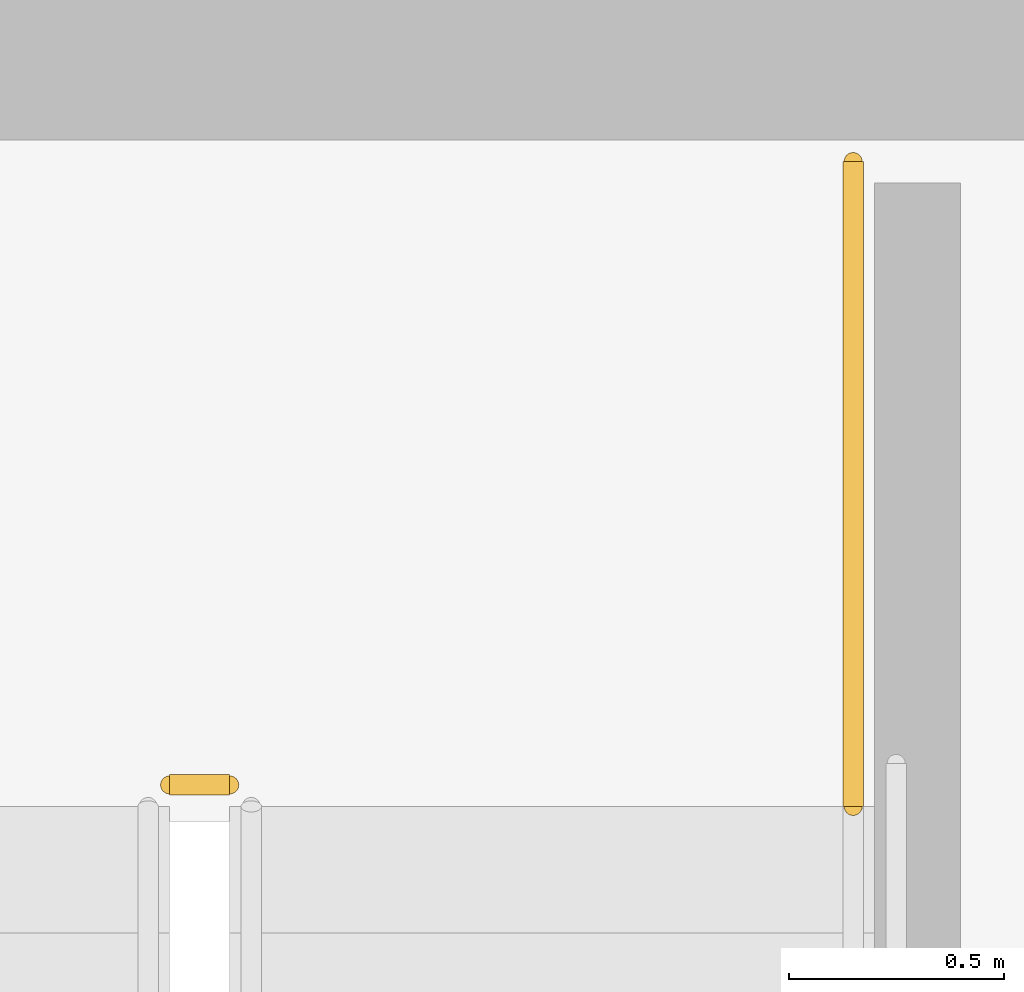
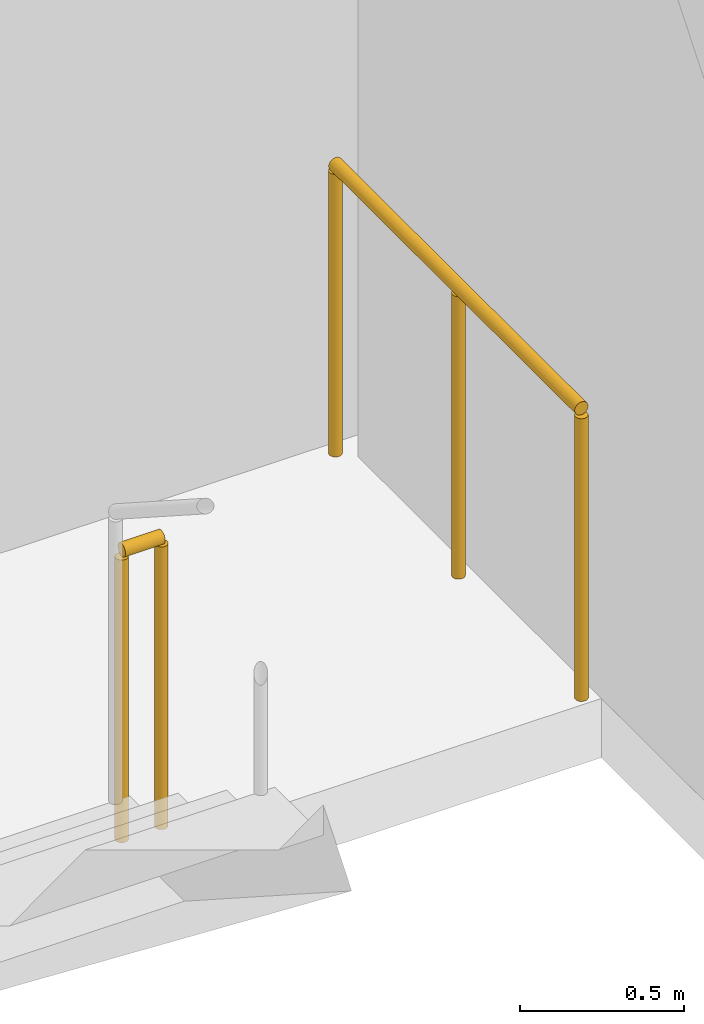
# One storey, part 32 of 32: 2 railings.
"""IFC4 building model written with IfcOpenShell, lengths in metres."""

from ifc_helpers import new_model, si_unit, direction, frame, origin, origin_2d, place, context, subcontext, project, spatial, circle, extrude, material, layer, layer_set, type_object, element, save


model = new_model("IFC4")

# Units and contexts
model_context = context("Model", 3, precision=1e-05, world=origin(), true_north=direction((0.0, 1.0)))
body_context = subcontext(model_context, "Body", "Model", "MODEL_VIEW")
ifc_project = project(units=[si_unit("LENGTHUNIT", "METRE"), si_unit("AREAUNIT", "SQUARE_METRE"), si_unit("VOLUMEUNIT", "CUBIC_METRE"), si_unit("PLANEANGLEUNIT", "RADIAN"), si_unit("MASSUNIT", "GRAM", prefix="KILO")], contexts=[model_context])

# Site, building, storey
site_placement = place(None, origin())
site = spatial("IfcSite", under=ifc_project, at=site_placement, CompositionType="ELEMENT")
building_placement = place(site_placement, origin())
building = spatial("IfcBuilding", under=site, at=building_placement, Name="Ndaravel Arena Tower", CompositionType="ELEMENT")
storey_placement = place(building_placement, frame((0.0, 0.0, 294.699951171875)))
storey = spatial("IfcBuildingStorey", under=building, at=storey_placement, Name="L72", CompositionType="ELEMENT", Elevation=294.699951171875)

# Railings
ifc_material = material(Name="Steel S355", Category="steel")
ifc_layer = layer(ifc_material, 0.06005859375)
ifc_layer_set = layer_set([ifc_layer], Name="Steel S355")
railing_type = type_object("IfcRailingType", Name="RAIL-STAIR-GD1100", PredefinedType="GUARDRAIL", material=ifc_layer_set)
railing_1_placement = place(storey_placement, frame((55.10009765625, 13.300048828125, 0.0)))
element("IfcRailing", 1, at=railing_1_placement, inside=storey, type_object=railing_type, Name="L72 ST-3 stair guard 4", PredefinedType="GUARDRAIL", context=body_context, shape_type="SweptSolid", body=[
    extrude(circle(Radius=0.02392578125, at=origin_2d()), frame((0.0, 0.0, 1.076171875), z_axis=(1.0, 0.0, 0.0), x_axis=(0.0, 1.0, 0.0)), (0.0, 0.0, 1.0), 0.139892578125),
    extrude(circle(Radius=0.02099609375, at=origin_2d()), origin(), (0.0, 0.0, 1.0), 1.052001953125),
    extrude(circle(Radius=0.02099609375, at=origin_2d()), frame((0.139892578125, 0.0, 0.0)), (0.0, 0.0, 1.0), 1.052001953125),
])
railing_2_placement = place(storey_placement, frame((56.68994140625, 14.75, 0.0)))
element("IfcRailing", 2, at=railing_2_placement, inside=storey, type_object=railing_type, Name="L72 ST-3 stair guard 5", PredefinedType="GUARDRAIL", context=body_context, shape_type="SweptSolid", body=[
    extrude(circle(Radius=0.02392578125, at=origin_2d()), frame((0.0, 0.0, 1.076171875), z_axis=(0.0, -1.0, 0.0), x_axis=(1.0, 0.0, 0.0)), (0.0, 0.0, 1.0), 1.5),
    extrude(circle(Radius=0.02099609375, at=origin_2d()), origin(), (0.0, 0.0, 1.0), 1.052001953125),
    extrude(circle(Radius=0.02099609375, at=origin_2d()), frame((0.0, -0.75, 0.0)), (0.0, 0.0, 1.0), 1.052001953125),
    extrude(circle(Radius=0.02099609375, at=origin_2d()), frame((0.0, -1.5, 0.0)), (0.0, 0.0, 1.0), 1.052001953125),
])

save(model, "model.ifc")
